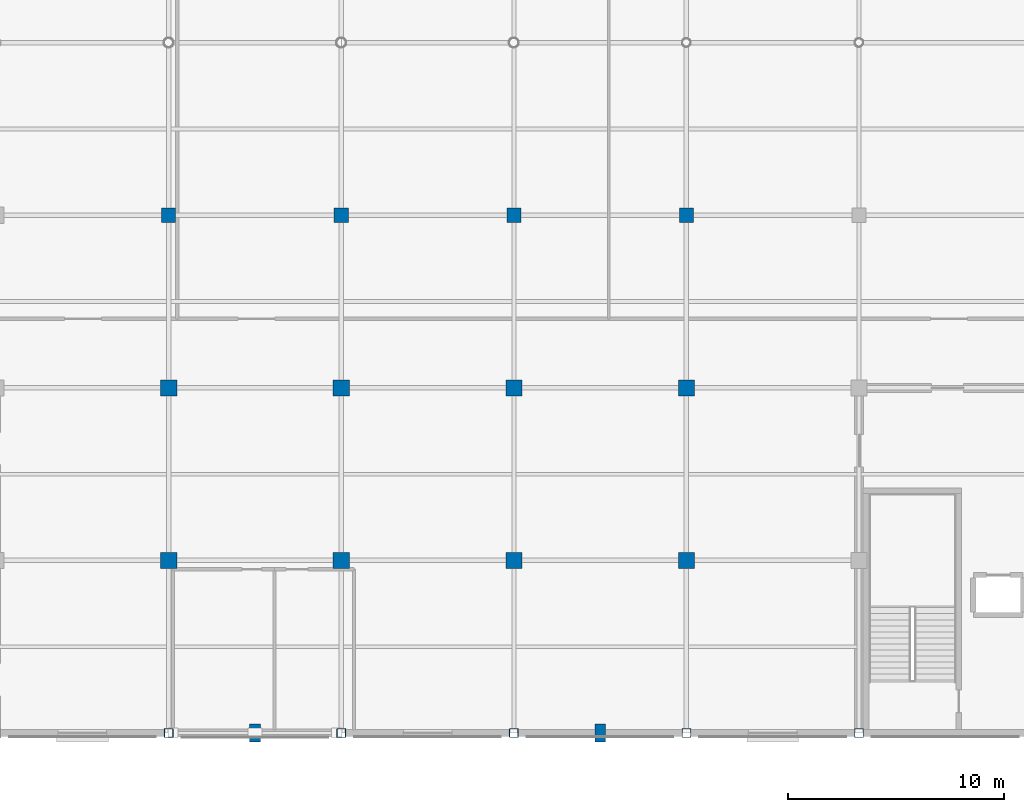
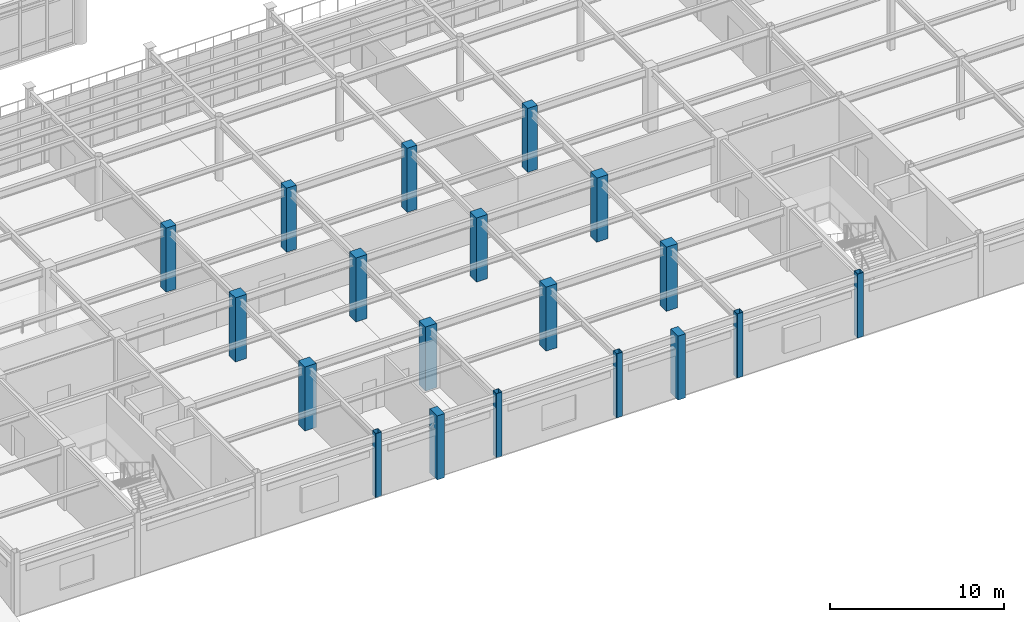
# One storey, part 4 of 111: 19 columns.
"""IFC4 building model written with IfcOpenShell, lengths in metres."""

from ifc_helpers import new_model, si_unit, direction, frame, origin, origin_2d, place, context, subcontext, project, spatial, rectangle, hollow_rectangle, extrude, material, material_profile, profile_set, type_object, element, save


model = new_model("IFC4")

# Units and contexts
model_context = context("Model", 3, precision=1e-05, world=origin(), true_north=direction((0.0, 1.0)))
body_context = subcontext(model_context, "Body", "Model", "MODEL_VIEW")
ifc_project = project(units=[si_unit("LENGTHUNIT", "METRE"), si_unit("AREAUNIT", "SQUARE_METRE"), si_unit("VOLUMEUNIT", "CUBIC_METRE"), si_unit("PLANEANGLEUNIT", "RADIAN"), si_unit("MASSUNIT", "GRAM", prefix="KILO")], contexts=[model_context])

# Site, building, storey
site_placement = place(None, origin())
site = spatial("IfcSite", under=ifc_project, at=site_placement, CompositionType="ELEMENT")
building_placement = place(site_placement, origin())
building = spatial("IfcBuilding", under=site, at=building_placement, Name="Solmirada Galleria", CompositionType="ELEMENT")
storey_placement = place(building_placement, frame((0.0, 0.0, 10.39990234375)))
storey = spatial("IfcBuildingStorey", under=building, at=storey_placement, Name="L02", CompositionType="ELEMENT", Elevation=10.39990234375)

# Columns
ifc_material_1 = material(Name="Steel S355 / ASTM A500 Grade C", Category="steel")
ifc_material_profile_1 = material_profile(ifc_material_1, hollow_rectangle(XDim=0.406005859375, YDim=0.406005859375, WallThickness=0.0146484375, InnerFilletRadius=0.0146484375, OuterFilletRadius=0.029296875, at=origin_2d()), Name="HSS16X16X5/8")
ifc_profile_set_1 = profile_set([ifc_material_profile_1], Name="Steel S355 / ASTM A500 Grade C")
column_type_1 = type_object("IfcColumnType", Name="COL-HSS16", PredefinedType="COLUMN", material=ifc_profile_set_1)
for number, where, z_axis, x_axis, name in (
    (1, (104.0, 0.0, 0.0), (0.0, 0.0, 1.0), (1.0, 0.0, 0.0), "Structural column L02-0695"),
    (2, (112.0, 0.0, 0.0), (0.0, 0.0, 1.0), (1.0, 0.0, 0.0), "Structural column L02-0806"),
    (3, (120.0, 0.0, 0.0), (0.0, 0.0, 1.0), (1.0, 0.0, 0.0), "Structural column L02-0923"),
    (4, (128.0, 0.0, 0.0), (0.0, 0.0, 1.0), (1.0, 0.0, 0.0), "Structural column L02-1006"),
    (5, (136.0, 0.0, 0.0), (0.0, 0.0, 1.0), (1.0, 0.0, 0.0), "Structural column L02-1107"),
):
    element("IfcColumn", number, at=place(storey_placement, frame(where, z_axis=z_axis, x_axis=x_axis)), inside=storey, type_object=column_type_1, Name=name, PredefinedType="COLUMN", context=body_context, shape_type="SweptSolid", body=[
        extrude(hollow_rectangle(XDim=0.406005859375, YDim=0.406005859375, WallThickness=0.0146484375, InnerFilletRadius=0.0146484375, OuterFilletRadius=0.029296875, at=origin_2d()), origin(), (0.0, 0.0, 1.0), 4.5),
    ])
ifc_material_2 = material(Name="Concrete C40/50", Category="concrete")
ifc_material_profile_2 = material_profile(ifc_material_2, rectangle(XDim=0.64990234375, YDim=0.64990234375, at=origin_2d()), Name="RC650X650")
ifc_profile_set_2 = profile_set([ifc_material_profile_2], Name="Concrete C40/50")
column_type_2 = type_object("IfcColumnType", Name="COL-RC650", PredefinedType="COLUMN", material=ifc_profile_set_2)
for number, where, z_axis, x_axis, name in (
    (6, (104.0, 24.0, 0.0), (0.0, 0.0, 1.0), (1.0, 0.0, 0.0), "Structural column L02-0719"),
    (7, (112.0, 24.0, 0.0), (0.0, 0.0, 1.0), (1.0, 0.0, 0.0), "Structural column L02-0830"),
    (8, (120.0, 24.0, 0.0), (0.0, 0.0, 1.0), (1.0, 0.0, 0.0), "Structural column L02-0947"),
    (9, (128.0, 24.0, 0.0), (0.0, 0.0, 1.0), (1.0, 0.0, 0.0), "Structural column L02-1030"),
):
    element("IfcColumn", number, at=place(storey_placement, frame(where, z_axis=z_axis, x_axis=x_axis)), inside=storey, type_object=column_type_2, Name=name, PredefinedType="COLUMN", context=body_context, shape_type="SweptSolid", body=[
        extrude(rectangle(XDim=0.64990234375, YDim=0.64990234375, at=origin_2d()), origin(), (0.0, 0.0, 1.0), 4.5),
    ])
ifc_material_profile_3 = material_profile(ifc_material_2, rectangle(XDim=0.75, YDim=0.75, at=origin_2d()), Name="RC750X750")
ifc_profile_set_3 = profile_set([ifc_material_profile_3], Name="Concrete C40/50")
column_type_3 = type_object("IfcColumnType", Name="COL-RC750", PredefinedType="COLUMN", material=ifc_profile_set_3)
for number, where, z_axis, x_axis, name in (
    (10, (104.0, 8.0, 0.0), (0.0, 0.0, 1.0), (1.0, 0.0, 0.0), "Structural column L02-0703"),
    (11, (104.0, 16.0, 0.0), (0.0, 0.0, 1.0), (1.0, 0.0, 0.0), "Structural column L02-0711"),
    (12, (112.0, 8.0, 0.0), (0.0, 0.0, 1.0), (1.0, 0.0, 0.0), "Structural column L02-0814"),
    (13, (112.0, 16.0, 0.0), (0.0, 0.0, 1.0), (1.0, 0.0, 0.0), "Structural column L02-0822"),
    (14, (120.0, 8.0, 0.0), (0.0, 0.0, 1.0), (1.0, 0.0, 0.0), "Structural column L02-0931"),
    (15, (120.0, 16.0, 0.0), (0.0, 0.0, 1.0), (1.0, 0.0, 0.0), "Structural column L02-0939"),
    (16, (128.0, 8.0, 0.0), (0.0, 0.0, 1.0), (1.0, 0.0, 0.0), "Structural column L02-1014"),
    (17, (128.0, 16.0, 0.0), (0.0, 0.0, 1.0), (1.0, 0.0, 0.0), "Structural column L02-1022"),
):
    element("IfcColumn", number, at=place(storey_placement, frame(where, z_axis=z_axis, x_axis=x_axis)), inside=storey, type_object=column_type_3, Name=name, PredefinedType="COLUMN", context=body_context, shape_type="SweptSolid", body=[
        extrude(rectangle(XDim=0.75, YDim=0.75, at=origin_2d()), origin(), (0.0, 0.0, 1.0), 4.5),
    ])
ifc_material_3 = material(Name="Precast concrete C40/50", Category="concrete")
ifc_material_profile_4 = material_profile(ifc_material_3, rectangle(XDim=0.5, YDim=0.85009765625, at=origin_2d()), Name="RC850X500")
ifc_profile_set_4 = profile_set([ifc_material_profile_4], Name="Precast concrete C40/50")
column_type_4 = type_object("IfcColumnType", Name="PIL-RC850", PredefinedType="PILASTER", material=ifc_profile_set_4)
for number, where, z_axis, x_axis, name in (
    (18, (108.0, 0.0, 0.0), (0.0, 0.0, 1.0), (1.0, 0.0, 0.0), "Avenue pilaster L02-025"),
    (19, (124.0, 0.0, 0.0), (0.0, 0.0, 1.0), (1.0, 0.0, 0.0), "Avenue pilaster L02-029"),
):
    element("IfcColumn", number, at=place(storey_placement, frame(where, z_axis=z_axis, x_axis=x_axis)), inside=storey, type_object=column_type_4, Name=name, PredefinedType="PILASTER", context=body_context, shape_type="SweptSolid", body=[
        extrude(rectangle(XDim=0.5, YDim=0.85009765625, at=origin_2d()), origin(), (0.0, 0.0, 1.0), 4.5),
    ])

save(model, "model.ifc")
